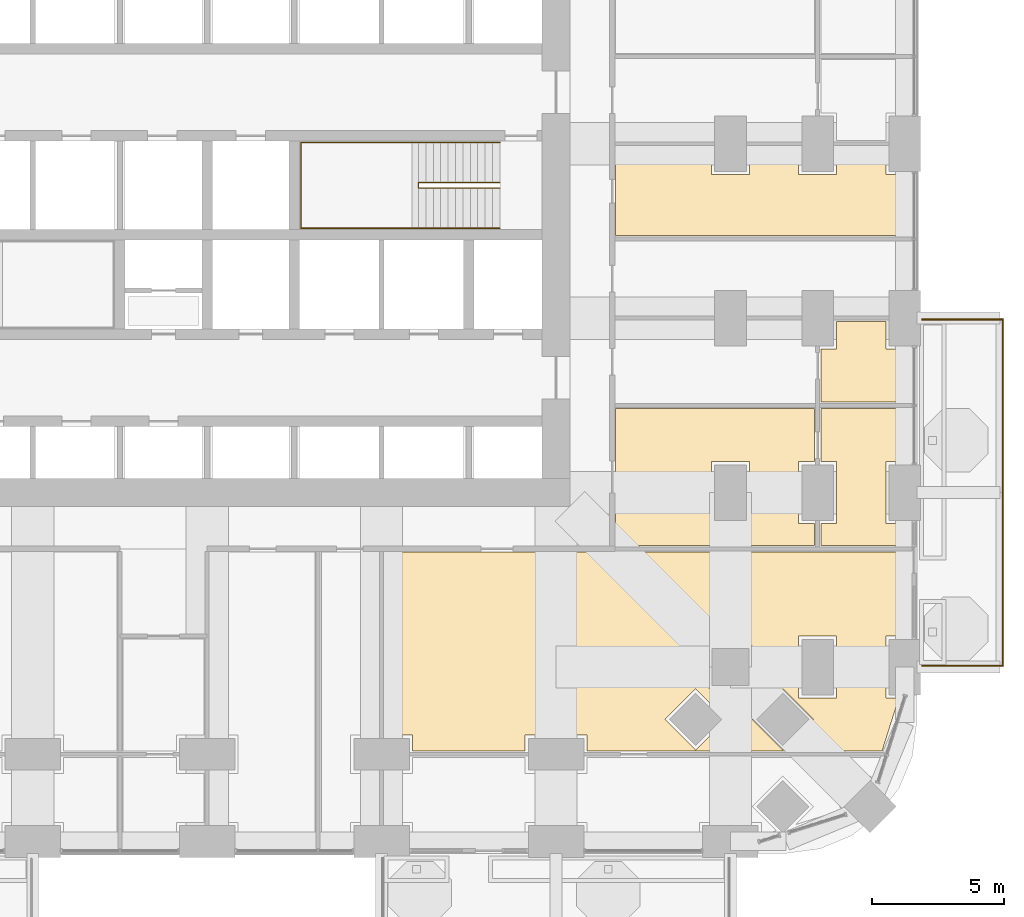
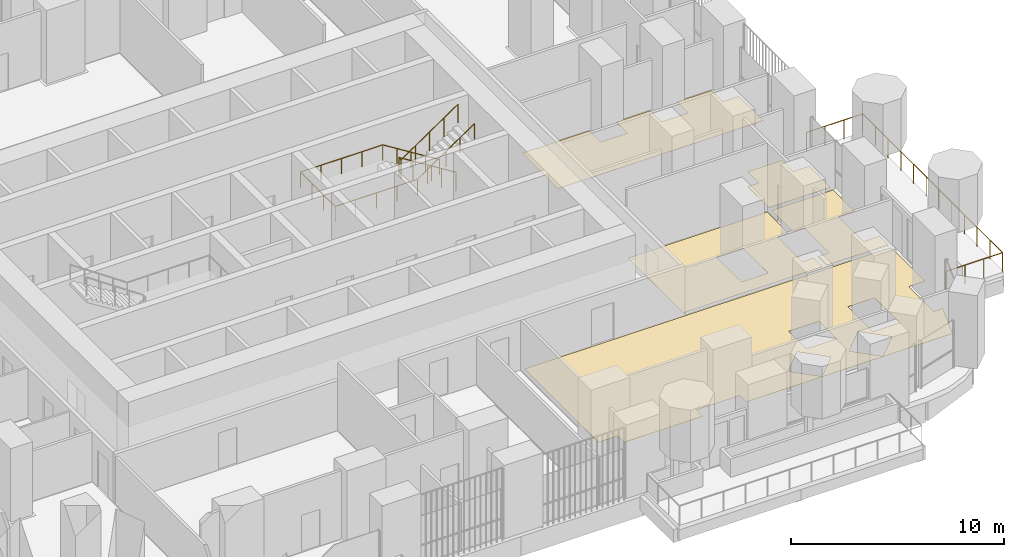
# One storey, part 25 of 27: 5 coverings, 3 railings.
"""IFC4 building model written with IfcOpenShell, lengths in metres."""

from ifc_helpers import new_model, si_unit, direction, frame, origin, place, context, subcontext, project, spatial, polyline, outline, extrude, material, layer, layer_set, type_object, element, save


model = new_model("IFC4")

# Units and contexts
model_context = context("Model", 3, precision=1e-05, world=origin(), true_north=direction((0.0, 1.0)))
body_context = subcontext(model_context, "Body", "Model", "MODEL_VIEW")
ifc_project = project(units=[si_unit("LENGTHUNIT", "METRE"), si_unit("AREAUNIT", "SQUARE_METRE"), si_unit("VOLUMEUNIT", "CUBIC_METRE"), si_unit("PLANEANGLEUNIT", "RADIAN"), si_unit("MASSUNIT", "GRAM", prefix="KILO")], contexts=[model_context])

# Site, building, storey
site_placement = place(None, origin())
site = spatial("IfcSite", under=ifc_project, at=site_placement, CompositionType="ELEMENT")
building_placement = place(site_placement, origin())
building = spatial("IfcBuilding", under=site, at=building_placement, Name="Cobogo Forest Laboratory Tower", CompositionType="ELEMENT")
storey_placement = place(building_placement, frame((0.0, 0.0, 54.89990234375)))
storey = spatial("IfcBuildingStorey", under=building, at=storey_placement, Name="L12", CompositionType="ELEMENT", Elevation=54.89990234375)

# Railing
ifc_material_1 = material(Name="Laminated glass balustrade", Category="glass")
railing_type_1 = type_object("IfcRailingType", Name="BG1 glass balustrade 1100", PredefinedType="GUARDRAIL", material=ifc_material_1)
railing_1_placement = place(storey_placement, frame((53.449951171875, 6.64990234375, 0.0)))
element("IfcRailing", 1, at=railing_1_placement, inside=storey, type_object=railing_type_1, Name="Balcony balustrade BAL-E1 L12", PredefinedType="GUARDRAIL", context=body_context, shape_type="SweptSolid", body=[
    extrude(outline(polyline([(0.022216796875, 0.00927734375), (0.00927734375, 0.022216796875), (-0.00927734375, 0.022216796875), (-0.022216796875, 0.00927734375), (-0.022216796875, -0.00927734375), (-0.00927734375, -0.022216796875), (0.00927734375, -0.022216796875), (0.022216796875, -0.00927734375), (0.022216796875, 0.00927734375)])), frame((0.0, 0.0, 1.077880859375), z_axis=(1.0, 0.0, 0.0), x_axis=(0.0, 1.0, 0.0)), (0.0, 0.0, 1.0), 3.050048828125),
    extrude(outline(polyline([(0.022216796875, 0.00927734375), (0.00927734375, 0.022216796875), (-0.00927734375, 0.022216796875), (-0.022216796875, 0.00927734375), (-0.022216796875, -0.00927734375), (-0.00927734375, -0.022216796875), (0.00927734375, -0.022216796875), (0.022216796875, -0.00927734375), (0.022216796875, 0.00927734375)])), frame((3.050048828125, 0.0, 1.077880859375), z_axis=(0.0, 1.0, 0.0), x_axis=(-1.0, 0.0, 0.0)), (0.0, 0.0, 1.0), 13.10009765625),
    extrude(outline(polyline([(0.022216796875, 0.00927734375), (0.00927734375, 0.022216796875), (-0.00927734375, 0.022216796875), (-0.022216796875, 0.00927734375), (-0.022216796875, -0.00927734375), (-0.00927734375, -0.022216796875), (0.00927734375, -0.022216796875), (0.022216796875, -0.00927734375), (0.022216796875, 0.00927734375)])), frame((3.050048828125, 13.10009765625, 1.077880859375), z_axis=(-1.0, 0.0, 0.0), x_axis=(0.0, -1.0, 0.0)), (0.0, 0.0, 1.0), 3.050048828125),
    extrude(outline(polyline([(0.019287109375, 0.008056640625), (0.008056640625, 0.019287109375), (-0.008056640625, 0.019287109375), (-0.019287109375, 0.008056640625), (-0.019287109375, -0.008056640625), (-0.008056640625, -0.019287109375), (0.008056640625, -0.019287109375), (0.019287109375, -0.008056640625), (0.019287109375, 0.008056640625)])), origin(), (0.0, 0.0, 1.0), 1.077880859375),
    extrude(outline(polyline([(0.019287109375, 0.008056640625), (0.008056640625, 0.019287109375), (-0.008056640625, 0.019287109375), (-0.019287109375, 0.008056640625), (-0.019287109375, -0.008056640625), (-0.008056640625, -0.019287109375), (0.008056640625, -0.019287109375), (0.019287109375, -0.008056640625), (0.019287109375, 0.008056640625)])), frame((1.0166015625, 0.0, 0.0)), (0.0, 0.0, 1.0), 1.077880859375),
    extrude(outline(polyline([(0.019287109375, 0.008056640625), (0.008056640625, 0.019287109375), (-0.008056640625, 0.019287109375), (-0.019287109375, 0.008056640625), (-0.019287109375, -0.008056640625), (-0.008056640625, -0.019287109375), (0.008056640625, -0.019287109375), (0.019287109375, -0.008056640625), (0.019287109375, 0.008056640625)])), frame((2.033447265625, 0.0, 0.0)), (0.0, 0.0, 1.0), 1.077880859375),
    extrude(outline(polyline([(0.019287109375, 0.008056640625), (0.008056640625, 0.019287109375), (-0.008056640625, 0.019287109375), (-0.019287109375, 0.008056640625), (-0.019287109375, -0.008056640625), (-0.008056640625, -0.019287109375), (0.008056640625, -0.019287109375), (0.019287109375, -0.008056640625), (0.019287109375, 0.008056640625)])), frame((3.050048828125, 0.0, 0.0)), (0.0, 0.0, 1.0), 1.077880859375),
    extrude(outline(polyline([(0.019287109375, 0.008056640625), (0.008056640625, 0.019287109375), (-0.008056640625, 0.019287109375), (-0.019287109375, 0.008056640625), (-0.019287109375, -0.008056640625), (-0.008056640625, -0.019287109375), (0.008056640625, -0.019287109375), (0.019287109375, -0.008056640625), (0.019287109375, 0.008056640625)])), frame((3.050048828125, 1.19091796875, 0.0)), (0.0, 0.0, 1.0), 1.077880859375),
    extrude(outline(polyline([(0.019287109375, 0.008056640625), (0.008056640625, 0.019287109375), (-0.008056640625, 0.019287109375), (-0.019287109375, 0.008056640625), (-0.019287109375, -0.008056640625), (-0.008056640625, -0.019287109375), (0.008056640625, -0.019287109375), (0.019287109375, -0.008056640625), (0.019287109375, 0.008056640625)])), frame((3.050048828125, 2.3818359375, 0.0)), (0.0, 0.0, 1.0), 1.077880859375),
    extrude(outline(polyline([(0.019287109375, 0.008056640625), (0.008056640625, 0.019287109375), (-0.008056640625, 0.019287109375), (-0.019287109375, 0.008056640625), (-0.019287109375, -0.008056640625), (-0.008056640625, -0.019287109375), (0.008056640625, -0.019287109375), (0.019287109375, -0.008056640625), (0.019287109375, 0.008056640625)])), frame((3.050048828125, 3.57275390625, 0.0)), (0.0, 0.0, 1.0), 1.077880859375),
    extrude(outline(polyline([(0.019287109375, 0.008056640625), (0.008056640625, 0.019287109375), (-0.008056640625, 0.019287109375), (-0.019287109375, 0.008056640625), (-0.019287109375, -0.008056640625), (-0.008056640625, -0.019287109375), (0.008056640625, -0.019287109375), (0.019287109375, -0.008056640625), (0.019287109375, 0.008056640625)])), frame((3.050048828125, 4.763671875, 0.0)), (0.0, 0.0, 1.0), 1.077880859375),
    extrude(outline(polyline([(0.019287109375, 0.008056640625), (0.008056640625, 0.019287109375), (-0.008056640625, 0.019287109375), (-0.019287109375, 0.008056640625), (-0.019287109375, -0.008056640625), (-0.008056640625, -0.019287109375), (0.008056640625, -0.019287109375), (0.019287109375, -0.008056640625), (0.019287109375, 0.008056640625)])), frame((3.050048828125, 5.95458984375, 0.0)), (0.0, 0.0, 1.0), 1.077880859375),
    extrude(outline(polyline([(0.019287109375, 0.008056640625), (0.008056640625, 0.019287109375), (-0.008056640625, 0.019287109375), (-0.019287109375, 0.008056640625), (-0.019287109375, -0.008056640625), (-0.008056640625, -0.019287109375), (0.008056640625, -0.019287109375), (0.019287109375, -0.008056640625), (0.019287109375, 0.008056640625)])), frame((3.050048828125, 7.1455078125, 0.0)), (0.0, 0.0, 1.0), 1.077880859375),
    extrude(outline(polyline([(0.019287109375, 0.008056640625), (0.008056640625, 0.019287109375), (-0.008056640625, 0.019287109375), (-0.019287109375, 0.008056640625), (-0.019287109375, -0.008056640625), (-0.008056640625, -0.019287109375), (0.008056640625, -0.019287109375), (0.019287109375, -0.008056640625), (0.019287109375, 0.008056640625)])), frame((3.050048828125, 8.33642578125, 0.0)), (0.0, 0.0, 1.0), 1.077880859375),
    extrude(outline(polyline([(0.019287109375, 0.008056640625), (0.008056640625, 0.019287109375), (-0.008056640625, 0.019287109375), (-0.019287109375, 0.008056640625), (-0.019287109375, -0.008056640625), (-0.008056640625, -0.019287109375), (0.008056640625, -0.019287109375), (0.019287109375, -0.008056640625), (0.019287109375, 0.008056640625)])), frame((3.050048828125, 9.52734375, 0.0)), (0.0, 0.0, 1.0), 1.077880859375),
    extrude(outline(polyline([(0.019287109375, 0.008056640625), (0.008056640625, 0.019287109375), (-0.008056640625, 0.019287109375), (-0.019287109375, 0.008056640625), (-0.019287109375, -0.008056640625), (-0.008056640625, -0.019287109375), (0.008056640625, -0.019287109375), (0.019287109375, -0.008056640625), (0.019287109375, 0.008056640625)])), frame((3.050048828125, 10.71826171875, 0.0)), (0.0, 0.0, 1.0), 1.077880859375),
    extrude(outline(polyline([(0.019287109375, 0.008056640625), (0.008056640625, 0.019287109375), (-0.008056640625, 0.019287109375), (-0.019287109375, 0.008056640625), (-0.019287109375, -0.008056640625), (-0.008056640625, -0.019287109375), (0.008056640625, -0.019287109375), (0.019287109375, -0.008056640625), (0.019287109375, 0.008056640625)])), frame((3.050048828125, 11.9091796875, 0.0)), (0.0, 0.0, 1.0), 1.077880859375),
    extrude(outline(polyline([(0.019287109375, 0.008056640625), (0.008056640625, 0.019287109375), (-0.008056640625, 0.019287109375), (-0.019287109375, 0.008056640625), (-0.019287109375, -0.008056640625), (-0.008056640625, -0.019287109375), (0.008056640625, -0.019287109375), (0.019287109375, -0.008056640625), (0.019287109375, 0.008056640625)])), frame((3.050048828125, 13.10009765625, 0.0)), (0.0, 0.0, 1.0), 1.077880859375),
    extrude(outline(polyline([(0.019287109375, 0.008056640625), (0.008056640625, 0.019287109375), (-0.008056640625, 0.019287109375), (-0.019287109375, 0.008056640625), (-0.019287109375, -0.008056640625), (-0.008056640625, -0.019287109375), (0.008056640625, -0.019287109375), (0.019287109375, -0.008056640625), (0.019287109375, 0.008056640625)])), frame((2.033447265625, 13.10009765625, 0.0)), (0.0, 0.0, 1.0), 1.077880859375),
    extrude(outline(polyline([(0.019287109375, 0.008056640625), (0.008056640625, 0.019287109375), (-0.008056640625, 0.019287109375), (-0.019287109375, 0.008056640625), (-0.019287109375, -0.008056640625), (-0.008056640625, -0.019287109375), (0.008056640625, -0.019287109375), (0.019287109375, -0.008056640625), (0.019287109375, 0.008056640625)])), frame((1.0166015625, 13.10009765625, 0.0)), (0.0, 0.0, 1.0), 1.077880859375),
    extrude(outline(polyline([(0.019287109375, 0.008056640625), (0.008056640625, 0.019287109375), (-0.008056640625, 0.019287109375), (-0.019287109375, 0.008056640625), (-0.019287109375, -0.008056640625), (-0.008056640625, -0.019287109375), (0.008056640625, -0.019287109375), (0.019287109375, -0.008056640625), (0.019287109375, 0.008056640625)])), frame((0.0, 13.10009765625, 0.0)), (0.0, 0.0, 1.0), 1.077880859375),
])

# Coverings
ifc_material_2 = material(Name="Carpet tile on raised access floor", Category="flooring")
ifc_layer_1 = layer(ifc_material_2, 0.008056640625)
ifc_layer_set_1 = layer_set([ifc_layer_1], Name="CT1 carpet tile floor 8")
covering_type_1 = type_object("IfcCoveringType", Name="CT1 carpet tile floor 8", PredefinedType="FLOORING", material=ifc_layer_set_1)
covering_1_placement = place(storey_placement, origin())
element("IfcCovering", 2, at=covering_1_placement, inside=storey, type_object=covering_type_1, Name="Carpet floor L12-10", PredefinedType="FLOORING", context=body_context, shape_type="SweptSolid", body=[
    extrude(outline(polyline([(49.6201171875, 12.030029296875), (50.219970703125, 12.030029296875), (50.219970703125, 14.3701171875), (49.6201171875, 14.3701171875), (49.6201171875, 16.3798828125), (52.949951171875, 16.3798828125), (52.949951171875, 14.3701171875), (52.080078125, 14.3701171875), (52.080078125, 12.030029296875), (52.949951171875, 12.030029296875), (52.949951171875, 11.195068359375), (49.6201171875, 11.195068359375), (49.6201171875, 12.030029296875)])), origin(), (0.0, 0.0, 1.0), 0.008056640625),
])
covering_2_placement = place(storey_placement, origin())
element("IfcCovering", 3, at=covering_2_placement, inside=storey, type_object=covering_type_1, Name="Carpet floor L12-12", PredefinedType="FLOORING", context=body_context, shape_type="SweptSolid", body=[
    extrude(outline(polyline([(49.6201171875, 18.6298828125), (50.219970703125, 18.6298828125), (50.219970703125, 19.679931640625), (52.080078125, 19.679931640625), (52.080078125, 18.6298828125), (52.949951171875, 18.6298828125), (52.949951171875, 16.6201171875), (49.6201171875, 16.6201171875), (49.6201171875, 18.6298828125)])), origin(), (0.0, 0.0, 1.0), 0.008056640625),
])

# Railings
ifc_material_3 = material(Name="Steel balustrade", Category="steel")
railing_type_2 = type_object("IfcRailingType", Name="GR stair guard 1100", PredefinedType="GUARDRAIL", material=ifc_material_3)
railing_2_placement = place(storey_placement, frame((37.47509765625, 24.929931640625, 0.175048828125)))
element("IfcRailing", 4, at=railing_2_placement, inside=storey, type_object=railing_type_2, Name="Stair guard ST2 L12", PredefinedType="GUARDRAIL", context=body_context, shape_type="SweptSolid", body=[
    extrude(outline(polyline([(0.022216796875, 0.00927734375), (0.00927734375, 0.022216796875), (-0.00927734375, 0.022216796875), (-0.022216796875, 0.00927734375), (-0.022216796875, -0.00927734375), (-0.00927734375, -0.022216796875), (0.00927734375, -0.022216796875), (0.022216796875, -0.00927734375), (0.022216796875, 0.00927734375)])), frame((0.0, 0.0, 1.077880859375), z_axis=(-0.847998304005, 0.0, 0.529998940003), x_axis=(0.0, -1.0, 0.0)), (0.0, 0.0, 1.0), 3.632080078125),
    extrude(outline(polyline([(0.022216796875, 0.00927734375), (0.00927734375, 0.022216796875), (-0.00927734375, 0.022216796875), (-0.022216796875, 0.00927734375), (-0.022216796875, -0.00927734375), (-0.00927734375, -0.022216796875), (0.00927734375, -0.022216796875), (0.022216796875, -0.00927734375), (0.022216796875, 0.00927734375)])), frame((-3.080078125, 0.0, 3.0029296875), z_axis=(0.0, -1.0, 0.0), x_axis=(1.0, 0.0, 0.0)), (0.0, 0.0, 1.0), 0.2099609375),
    extrude(outline(polyline([(0.022216796875, 0.00927734375), (0.00927734375, 0.022216796875), (-0.00927734375, 0.022216796875), (-0.022216796875, 0.00927734375), (-0.022216796875, -0.00927734375), (-0.00927734375, -0.022216796875), (0.00927734375, -0.022216796875), (0.022216796875, -0.00927734375), (0.022216796875, 0.00927734375)])), frame((-3.080078125, -0.2099609375, 3.0029296875), z_axis=(0.826221800596, 0.0, 0.563344953133), x_axis=(0.0, 1.0, 0.0)), (0.0, 0.0, 1.0), 3.72802734375),
    extrude(outline(polyline([(0.019287109375, 0.008056640625), (0.008056640625, 0.019287109375), (-0.008056640625, 0.019287109375), (-0.019287109375, 0.008056640625), (-0.019287109375, -0.008056640625), (-0.008056640625, -0.019287109375), (0.008056640625, -0.019287109375), (0.019287109375, -0.008056640625), (0.019287109375, 0.008056640625)])), origin(), (0.0, 0.0, 1.0), 1.077880859375),
    extrude(outline(polyline([(0.019287109375, 0.008056640625), (0.008056640625, 0.019287109375), (-0.008056640625, 0.019287109375), (-0.019287109375, 0.008056640625), (-0.019287109375, -0.008056640625), (-0.008056640625, -0.019287109375), (0.008056640625, -0.019287109375), (0.019287109375, -0.008056640625), (0.019287109375, 0.008056640625)])), frame((-0.77001953125, 0.0, 0.481201171875)), (0.0, 0.0, 1.0), 1.077880859375),
    extrude(outline(polyline([(0.019287109375, 0.008056640625), (0.008056640625, 0.019287109375), (-0.008056640625, 0.019287109375), (-0.019287109375, 0.008056640625), (-0.019287109375, -0.008056640625), (-0.008056640625, -0.019287109375), (0.008056640625, -0.019287109375), (0.019287109375, -0.008056640625), (0.019287109375, 0.008056640625)])), frame((-1.5400390625, 0.0, 0.96240234375)), (0.0, 0.0, 1.0), 1.077880859375),
    extrude(outline(polyline([(0.019287109375, 0.008056640625), (0.008056640625, 0.019287109375), (-0.008056640625, 0.019287109375), (-0.019287109375, 0.008056640625), (-0.019287109375, -0.008056640625), (-0.008056640625, -0.019287109375), (0.008056640625, -0.019287109375), (0.019287109375, -0.008056640625), (0.019287109375, 0.008056640625)])), frame((-2.31005859375, 0.0, 1.44384765625)), (0.0, 0.0, 1.0), 1.077880859375),
    extrude(outline(polyline([(0.019287109375, 0.008056640625), (0.008056640625, 0.019287109375), (-0.008056640625, 0.019287109375), (-0.019287109375, 0.008056640625), (-0.019287109375, -0.008056640625), (-0.008056640625, -0.019287109375), (0.008056640625, -0.019287109375), (0.019287109375, -0.008056640625), (0.019287109375, 0.008056640625)])), frame((-3.080078125, 0.0, 1.925048828125)), (0.0, 0.0, 1.0), 1.077880859375),
    extrude(outline(polyline([(0.019287109375, 0.008056640625), (0.008056640625, 0.019287109375), (-0.008056640625, 0.019287109375), (-0.019287109375, 0.008056640625), (-0.019287109375, -0.008056640625), (-0.008056640625, -0.019287109375), (0.008056640625, -0.019287109375), (0.019287109375, -0.008056640625), (0.019287109375, 0.008056640625)])), frame((-3.080078125, -0.2099609375, 1.925048828125)), (0.0, 0.0, 1.0), 1.077880859375),
    extrude(outline(polyline([(0.019287109375, 0.008056640625), (0.008056640625, 0.019287109375), (-0.008056640625, 0.019287109375), (-0.019287109375, 0.008056640625), (-0.019287109375, -0.008056640625), (-0.008056640625, -0.019287109375), (0.008056640625, -0.019287109375), (0.019287109375, -0.008056640625), (0.019287109375, 0.008056640625)])), frame((-2.31005859375, -0.2099609375, 2.4501953125)), (0.0, 0.0, 1.0), 1.077880859375),
    extrude(outline(polyline([(0.019287109375, 0.008056640625), (0.008056640625, 0.019287109375), (-0.008056640625, 0.019287109375), (-0.019287109375, 0.008056640625), (-0.019287109375, -0.008056640625), (-0.008056640625, -0.019287109375), (0.008056640625, -0.019287109375), (0.019287109375, -0.008056640625), (0.019287109375, 0.008056640625)])), frame((-1.5400390625, -0.2099609375, 2.97509765625)), (0.0, 0.0, 1.0), 1.077880859375),
    extrude(outline(polyline([(0.019287109375, 0.008056640625), (0.008056640625, 0.019287109375), (-0.008056640625, 0.019287109375), (-0.019287109375, 0.008056640625), (-0.019287109375, -0.008056640625), (-0.008056640625, -0.019287109375), (0.008056640625, -0.019287109375), (0.019287109375, -0.008056640625), (0.019287109375, 0.008056640625)])), frame((-0.77001953125, -0.2099609375, 3.5)), (0.0, 0.0, 1.0), 1.077880859375),
    extrude(outline(polyline([(0.019287109375, 0.008056640625), (0.008056640625, 0.019287109375), (-0.008056640625, 0.019287109375), (-0.019287109375, 0.008056640625), (-0.019287109375, -0.008056640625), (-0.008056640625, -0.019287109375), (0.008056640625, -0.019287109375), (0.019287109375, -0.008056640625), (0.019287109375, 0.008056640625)])), frame((0.0, -0.2099609375, 4.025146484375)), (0.0, 0.0, 1.0), 1.077880859375),
])
ifc_material_4 = material(Name="Stainless steel handrail", Category="steel")
railing_type_3 = type_object("IfcRailingType", Name="HR handrail 900", PredefinedType="HANDRAIL", material=ifc_material_4)
railing_3_placement = place(storey_placement, frame((37.47509765625, 26.449951171875, 0.175048828125)))
element("IfcRailing", 5, at=railing_3_placement, inside=storey, type_object=railing_type_3, Name="Stair handrail ST2 L12", PredefinedType="HANDRAIL", context=body_context, shape_type="SweptSolid", body=[
    extrude(outline(polyline([(0.022216796875, 0.00927734375), (0.00927734375, 0.022216796875), (-0.00927734375, 0.022216796875), (-0.022216796875, 0.00927734375), (-0.022216796875, -0.00927734375), (-0.00927734375, -0.022216796875), (0.00927734375, -0.022216796875), (0.022216796875, -0.00927734375), (0.022216796875, 0.00927734375)])), frame((0.0, 0.0, 0.877685546875), z_axis=(-0.847998304005, 0.0, 0.529998940003), x_axis=(0.0, -1.0, 0.0)), (0.0, 0.0, 1.0), 3.632080078125),
    extrude(outline(polyline([(0.022216796875, 0.00927734375), (0.00927734375, 0.022216796875), (-0.00927734375, 0.022216796875), (-0.022216796875, 0.00927734375), (-0.022216796875, -0.00927734375), (-0.00927734375, -0.022216796875), (0.00927734375, -0.022216796875), (0.022216796875, -0.00927734375), (0.022216796875, 0.00927734375)])), frame((-3.080078125, 0.0, 2.802734375), z_axis=(-1.0, 0.0, 0.0), x_axis=(0.0, -1.0, 0.0)), (0.0, 0.0, 1.0), 4.445068359375),
    extrude(outline(polyline([(0.022216796875, 0.00927734375), (0.00927734375, 0.022216796875), (-0.00927734375, 0.022216796875), (-0.022216796875, 0.00927734375), (-0.022216796875, -0.00927734375), (-0.00927734375, -0.022216796875), (0.00927734375, -0.022216796875), (0.022216796875, -0.00927734375), (0.022216796875, 0.00927734375)])), frame((-7.525146484375, 0.0, 2.802734375), z_axis=(0.0, -1.0, 0.0), x_axis=(1.0, 0.0, 0.0)), (0.0, 0.0, 1.0), 3.25),
    extrude(outline(polyline([(0.022216796875, 0.00927734375), (0.00927734375, 0.022216796875), (-0.00927734375, 0.022216796875), (-0.022216796875, 0.00927734375), (-0.022216796875, -0.00927734375), (-0.00927734375, -0.022216796875), (0.00927734375, -0.022216796875), (0.022216796875, -0.00927734375), (0.022216796875, 0.00927734375)])), frame((-7.525146484375, -3.25, 2.802734375), z_axis=(1.0, 0.0, 0.0), x_axis=(0.0, 1.0, 0.0)), (0.0, 0.0, 1.0), 4.445068359375),
    extrude(outline(polyline([(0.022216796875, 0.00927734375), (0.00927734375, 0.022216796875), (-0.00927734375, 0.022216796875), (-0.022216796875, 0.00927734375), (-0.022216796875, -0.00927734375), (-0.00927734375, -0.022216796875), (0.00927734375, -0.022216796875), (0.022216796875, -0.00927734375), (0.022216796875, 0.00927734375)])), frame((-3.080078125, -3.25, 2.802734375), z_axis=(0.826221800596, 0.0, 0.563344953133), x_axis=(0.0, 1.0, 0.0)), (0.0, 0.0, 1.0), 3.72802734375),
    extrude(outline(polyline([(0.019287109375, 0.008056640625), (0.008056640625, 0.019287109375), (-0.008056640625, 0.019287109375), (-0.019287109375, 0.008056640625), (-0.019287109375, -0.008056640625), (-0.008056640625, -0.019287109375), (0.008056640625, -0.019287109375), (0.019287109375, -0.008056640625), (0.019287109375, 0.008056640625)])), origin(), (0.0, 0.0, 1.0), 0.877685546875),
    extrude(outline(polyline([(0.019287109375, 0.008056640625), (0.008056640625, 0.019287109375), (-0.008056640625, 0.019287109375), (-0.019287109375, 0.008056640625), (-0.019287109375, -0.008056640625), (-0.008056640625, -0.019287109375), (0.008056640625, -0.019287109375), (0.019287109375, -0.008056640625), (0.019287109375, 0.008056640625)])), frame((-0.77001953125, 0.0, 0.481201171875)), (0.0, 0.0, 1.0), 0.877685546875),
    extrude(outline(polyline([(0.019287109375, 0.008056640625), (0.008056640625, 0.019287109375), (-0.008056640625, 0.019287109375), (-0.019287109375, 0.008056640625), (-0.019287109375, -0.008056640625), (-0.008056640625, -0.019287109375), (0.008056640625, -0.019287109375), (0.019287109375, -0.008056640625), (0.019287109375, 0.008056640625)])), frame((-1.5400390625, 0.0, 0.96240234375)), (0.0, 0.0, 1.0), 0.877685546875),
    extrude(outline(polyline([(0.019287109375, 0.008056640625), (0.008056640625, 0.019287109375), (-0.008056640625, 0.019287109375), (-0.019287109375, 0.008056640625), (-0.019287109375, -0.008056640625), (-0.008056640625, -0.019287109375), (0.008056640625, -0.019287109375), (0.019287109375, -0.008056640625), (0.019287109375, 0.008056640625)])), frame((-2.31005859375, 0.0, 1.44384765625)), (0.0, 0.0, 1.0), 0.877685546875),
    extrude(outline(polyline([(0.019287109375, 0.008056640625), (0.008056640625, 0.019287109375), (-0.008056640625, 0.019287109375), (-0.019287109375, 0.008056640625), (-0.019287109375, -0.008056640625), (-0.008056640625, -0.019287109375), (0.008056640625, -0.019287109375), (0.019287109375, -0.008056640625), (0.019287109375, 0.008056640625)])), frame((-3.080078125, 0.0, 1.925048828125)), (0.0, 0.0, 1.0), 0.877685546875),
    extrude(outline(polyline([(0.019287109375, 0.008056640625), (0.008056640625, 0.019287109375), (-0.008056640625, 0.019287109375), (-0.019287109375, 0.008056640625), (-0.019287109375, -0.008056640625), (-0.008056640625, -0.019287109375), (0.008056640625, -0.019287109375), (0.019287109375, -0.008056640625), (0.019287109375, 0.008056640625)])), frame((-4.19140625, 0.0, 1.925048828125)), (0.0, 0.0, 1.0), 0.877685546875),
    extrude(outline(polyline([(0.019287109375, 0.008056640625), (0.008056640625, 0.019287109375), (-0.008056640625, 0.019287109375), (-0.019287109375, 0.008056640625), (-0.019287109375, -0.008056640625), (-0.008056640625, -0.019287109375), (0.008056640625, -0.019287109375), (0.019287109375, -0.008056640625), (0.019287109375, 0.008056640625)])), frame((-5.302734375, 0.0, 1.925048828125)), (0.0, 0.0, 1.0), 0.877685546875),
    extrude(outline(polyline([(0.019287109375, 0.008056640625), (0.008056640625, 0.019287109375), (-0.008056640625, 0.019287109375), (-0.019287109375, 0.008056640625), (-0.019287109375, -0.008056640625), (-0.008056640625, -0.019287109375), (0.008056640625, -0.019287109375), (0.019287109375, -0.008056640625), (0.019287109375, 0.008056640625)])), frame((-6.413818359375, 0.0, 1.925048828125)), (0.0, 0.0, 1.0), 0.877685546875),
    extrude(outline(polyline([(0.019287109375, 0.008056640625), (0.008056640625, 0.019287109375), (-0.008056640625, 0.019287109375), (-0.019287109375, 0.008056640625), (-0.019287109375, -0.008056640625), (-0.008056640625, -0.019287109375), (0.008056640625, -0.019287109375), (0.019287109375, -0.008056640625), (0.019287109375, 0.008056640625)])), frame((-7.525146484375, 0.0, 1.925048828125)), (0.0, 0.0, 1.0), 0.877685546875),
    extrude(outline(polyline([(0.019287109375, 0.008056640625), (0.008056640625, 0.019287109375), (-0.008056640625, 0.019287109375), (-0.019287109375, 0.008056640625), (-0.019287109375, -0.008056640625), (-0.008056640625, -0.019287109375), (0.008056640625, -0.019287109375), (0.019287109375, -0.008056640625), (0.019287109375, 0.008056640625)])), frame((-7.525146484375, -1.083251953125, 1.925048828125)), (0.0, 0.0, 1.0), 0.877685546875),
    extrude(outline(polyline([(0.019287109375, 0.008056640625), (0.008056640625, 0.019287109375), (-0.008056640625, 0.019287109375), (-0.019287109375, 0.008056640625), (-0.019287109375, -0.008056640625), (-0.008056640625, -0.019287109375), (0.008056640625, -0.019287109375), (0.019287109375, -0.008056640625), (0.019287109375, 0.008056640625)])), frame((-7.525146484375, -2.166748046875, 1.925048828125)), (0.0, 0.0, 1.0), 0.877685546875),
    extrude(outline(polyline([(0.019287109375, 0.008056640625), (0.008056640625, 0.019287109375), (-0.008056640625, 0.019287109375), (-0.019287109375, 0.008056640625), (-0.019287109375, -0.008056640625), (-0.008056640625, -0.019287109375), (0.008056640625, -0.019287109375), (0.019287109375, -0.008056640625), (0.019287109375, 0.008056640625)])), frame((-7.525146484375, -3.25, 1.925048828125)), (0.0, 0.0, 1.0), 0.877685546875),
    extrude(outline(polyline([(0.019287109375, 0.008056640625), (0.008056640625, 0.019287109375), (-0.008056640625, 0.019287109375), (-0.019287109375, 0.008056640625), (-0.019287109375, -0.008056640625), (-0.008056640625, -0.019287109375), (0.008056640625, -0.019287109375), (0.019287109375, -0.008056640625), (0.019287109375, 0.008056640625)])), frame((-6.413818359375, -3.25, 1.925048828125)), (0.0, 0.0, 1.0), 0.877685546875),
    extrude(outline(polyline([(0.019287109375, 0.008056640625), (0.008056640625, 0.019287109375), (-0.008056640625, 0.019287109375), (-0.019287109375, 0.008056640625), (-0.019287109375, -0.008056640625), (-0.008056640625, -0.019287109375), (0.008056640625, -0.019287109375), (0.019287109375, -0.008056640625), (0.019287109375, 0.008056640625)])), frame((-5.302734375, -3.25, 1.925048828125)), (0.0, 0.0, 1.0), 0.877685546875),
    extrude(outline(polyline([(0.019287109375, 0.008056640625), (0.008056640625, 0.019287109375), (-0.008056640625, 0.019287109375), (-0.019287109375, 0.008056640625), (-0.019287109375, -0.008056640625), (-0.008056640625, -0.019287109375), (0.008056640625, -0.019287109375), (0.019287109375, -0.008056640625), (0.019287109375, 0.008056640625)])), frame((-4.19140625, -3.25, 1.925048828125)), (0.0, 0.0, 1.0), 0.877685546875),
    extrude(outline(polyline([(0.019287109375, 0.008056640625), (0.008056640625, 0.019287109375), (-0.008056640625, 0.019287109375), (-0.019287109375, 0.008056640625), (-0.019287109375, -0.008056640625), (-0.008056640625, -0.019287109375), (0.008056640625, -0.019287109375), (0.019287109375, -0.008056640625), (0.019287109375, 0.008056640625)])), frame((-3.080078125, -3.25, 1.925048828125)), (0.0, 0.0, 1.0), 0.877685546875),
    extrude(outline(polyline([(0.019287109375, 0.008056640625), (0.008056640625, 0.019287109375), (-0.008056640625, 0.019287109375), (-0.019287109375, 0.008056640625), (-0.019287109375, -0.008056640625), (-0.008056640625, -0.019287109375), (0.008056640625, -0.019287109375), (0.019287109375, -0.008056640625), (0.019287109375, 0.008056640625)])), frame((-2.31005859375, -3.25, 2.4501953125)), (0.0, 0.0, 1.0), 0.877685546875),
    extrude(outline(polyline([(0.019287109375, 0.008056640625), (0.008056640625, 0.019287109375), (-0.008056640625, 0.019287109375), (-0.019287109375, 0.008056640625), (-0.019287109375, -0.008056640625), (-0.008056640625, -0.019287109375), (0.008056640625, -0.019287109375), (0.019287109375, -0.008056640625), (0.019287109375, 0.008056640625)])), frame((-1.5400390625, -3.25, 2.97509765625)), (0.0, 0.0, 1.0), 0.877685546875),
    extrude(outline(polyline([(0.019287109375, 0.008056640625), (0.008056640625, 0.019287109375), (-0.008056640625, 0.019287109375), (-0.019287109375, 0.008056640625), (-0.019287109375, -0.008056640625), (-0.008056640625, -0.019287109375), (0.008056640625, -0.019287109375), (0.019287109375, -0.008056640625), (0.019287109375, 0.008056640625)])), frame((-0.77001953125, -3.25, 3.5)), (0.0, 0.0, 1.0), 0.877685546875),
    extrude(outline(polyline([(0.019287109375, 0.008056640625), (0.008056640625, 0.019287109375), (-0.008056640625, 0.019287109375), (-0.019287109375, 0.008056640625), (-0.019287109375, -0.008056640625), (-0.008056640625, -0.019287109375), (0.008056640625, -0.019287109375), (0.019287109375, -0.008056640625), (0.019287109375, 0.008056640625)])), frame((0.0, -3.25, 4.025146484375)), (0.0, 0.0, 1.0), 0.877685546875),
])

# Coverings
ifc_material_5 = material(Name="Epoxy resin flooring", Category="flooring")
ifc_layer_2 = layer(ifc_material_5, 0.00390625)
ifc_layer_set_2 = layer_set([ifc_layer_2], Name="LF1 epoxy laboratory floor 4")
covering_type_2 = type_object("IfcCoveringType", Name="LF1 epoxy laboratory floor 4", PredefinedType="FLOORING", material=ifc_layer_set_2)
covering_3_placement = place(storey_placement, origin())
element("IfcCovering", 6, at=covering_3_placement, inside=storey, type_object=covering_type_2, Name="Epoxy laboratory floor L12-07", PredefinedType="FLOORING", context=body_context, shape_type="SweptSolid", body=[
    extrude(outline(polyline([(33.1201171875, 10.955078125), (52.949951171875, 10.955078125), (52.949951171875, 7.77001953125), (52.080078125, 7.77001953125), (52.080078125, 5.429931640625), (52.57080078125, 5.429931640625), (51.93603515625, 3.419921875), (40.77001953125, 3.419921875), (40.77001953125, 4.02001953125), (38.429931640625, 4.02001953125), (38.429931640625, 3.419921875), (34.169921875, 3.419921875), (34.169921875, 4.02001953125), (33.1201171875, 4.02001953125), (33.1201171875, 10.955078125)]), holes=[polyline([(48.780029296875, 5.429931640625), (50.219970703125, 5.429931640625), (50.219970703125, 7.77001953125), (48.780029296875, 7.77001953125), (48.780029296875, 5.429931640625)]), polyline([(48.181884765625, 5.777587890625), (47.022216796875, 4.617919921875), (48.181884765625, 3.458251953125), (49.341552734375, 4.617919921875), (48.181884765625, 5.777587890625)]), polyline([(45.3798828125, 7.419921875), (45.3798828125, 5.780029296875), (47.02001953125, 5.780029296875), (47.02001953125, 7.419921875), (45.3798828125, 7.419921875)]), polyline([(44.882080078125, 5.777587890625), (43.722412109375, 4.617919921875), (44.882080078125, 3.458251953125), (46.041748046875, 4.617919921875), (44.882080078125, 5.777587890625)])]), origin(), (0.0, 0.0, 1.0), 0.004150390625),
])
covering_4_placement = place(storey_placement, origin())
element("IfcCovering", 7, at=covering_4_placement, inside=storey, type_object=covering_type_2, Name="Epoxy laboratory floor L12-09", PredefinedType="FLOORING", context=body_context, shape_type="SweptSolid", body=[
    extrude(outline(polyline([(41.844970703125, 16.3798828125), (49.3798828125, 16.3798828125), (49.3798828125, 14.3701171875), (48.780029296875, 14.3701171875), (48.780029296875, 12.030029296875), (49.3798828125, 12.030029296875), (49.3798828125, 11.195068359375), (41.844970703125, 11.195068359375), (41.844970703125, 16.3798828125)]), holes=[polyline([(45.47998046875, 12.030029296875), (46.919921875, 12.030029296875), (46.919921875, 14.3701171875), (45.47998046875, 14.3701171875), (45.47998046875, 12.030029296875)])]), origin(), (0.0, 0.0, 1.0), 0.004150390625),
])
ifc_material_6 = material(Name="Static-dissipative vinyl flooring", Category="flooring")
ifc_layer_3 = layer(ifc_material_6, 0.0029296875)
ifc_layer_set_3 = layer_set([ifc_layer_3], Name="SD1 static-dissipative vinyl floor 3")
covering_type_3 = type_object("IfcCoveringType", Name="SD1 static-dissipative vinyl floor 3", PredefinedType="FLOORING", material=ifc_layer_set_3)
covering_5_placement = place(storey_placement, origin())
element("IfcCovering", 8, at=covering_5_placement, inside=storey, type_object=covering_type_3, Name="Static-dissipative floor L12-14", PredefinedType="FLOORING", context=body_context, shape_type="SweptSolid", body=[
    extrude(outline(polyline([(41.844970703125, 26.280029296875), (45.47998046875, 26.280029296875), (45.47998046875, 25.22998046875), (46.919921875, 25.22998046875), (46.919921875, 26.280029296875), (48.780029296875, 26.280029296875), (48.780029296875, 25.22998046875), (50.219970703125, 25.22998046875), (50.219970703125, 26.280029296875), (52.080078125, 26.280029296875), (52.080078125, 25.22998046875), (52.949951171875, 25.22998046875), (52.949951171875, 22.919921875), (41.844970703125, 22.919921875), (41.844970703125, 26.280029296875)])), origin(), (0.0, 0.0, 1.0), 0.003173828125),
])

save(model, "model.ifc")
